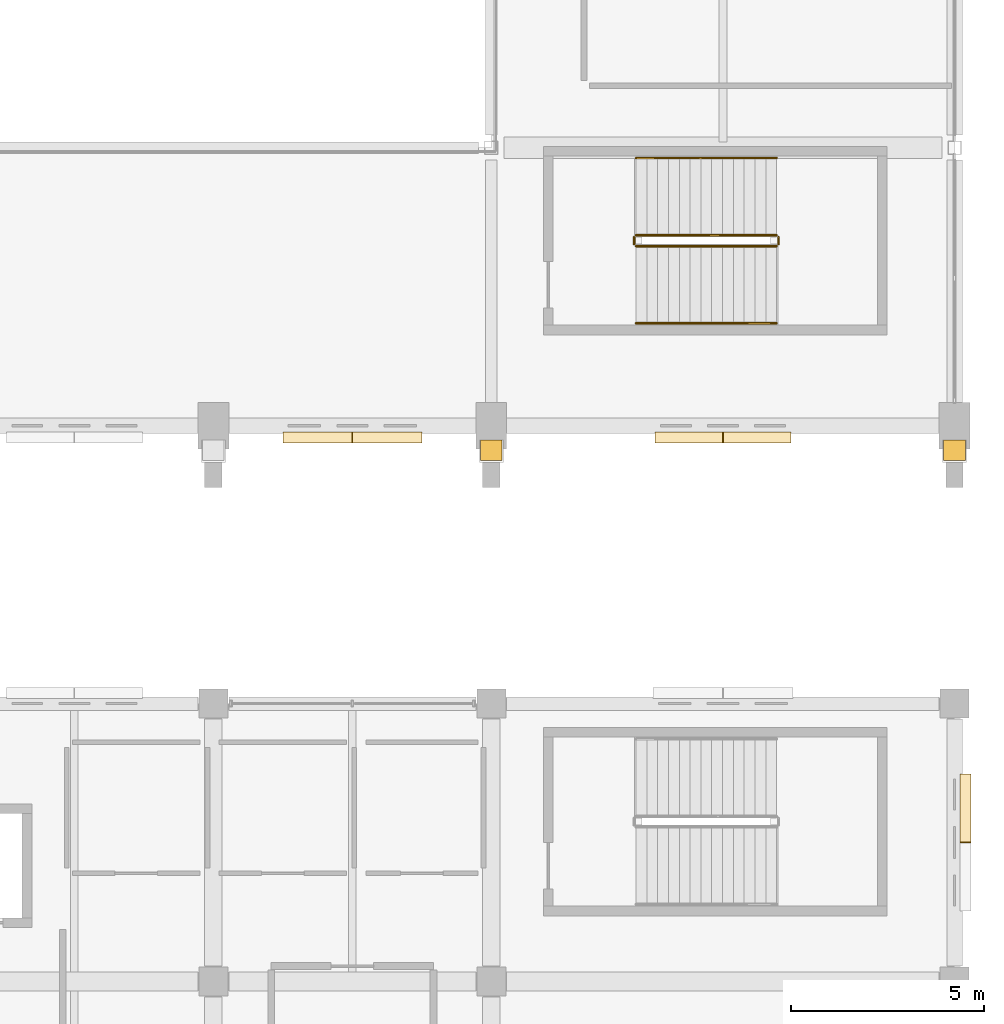
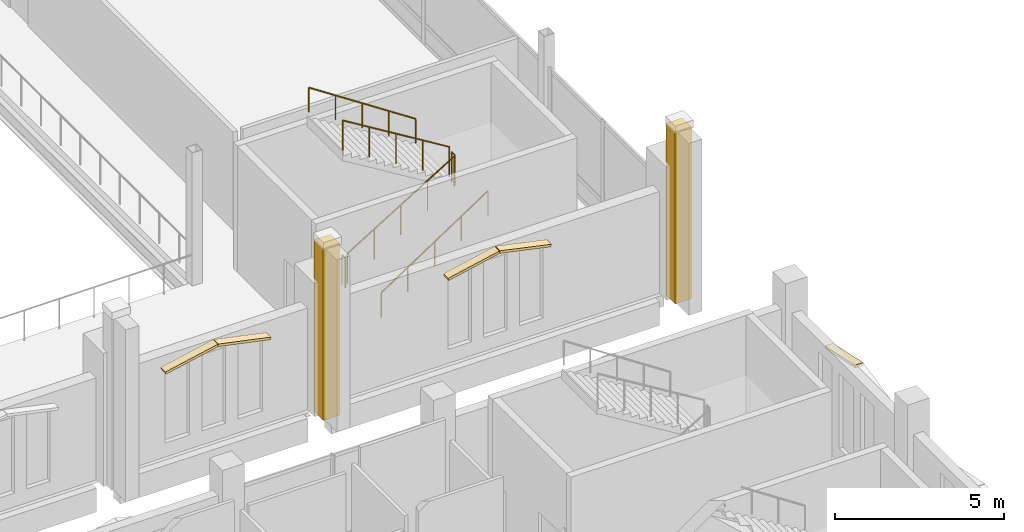
# One storey, part 186 of 193: 7 coverings, 6 railings.
"""IFC4 building model written with IfcOpenShell, lengths in metres."""

import ifcopenshell
import ifcopenshell.guid

model = None  # the IFC model being written
_history = None  # IfcOwnerHistory: only IFC2X3 demands one
_inside = {}  # id of a spatial element -> (the spatial element, [elements in it])
_under = {}  # id of a project, library or spatial element -> (it, [spatial elements below it])
_declared = {}  # id of a project -> (the project, [libraries it declares])
_typed = {}  # id of a type object -> (the type object, [elements of that type])
_made_of = {}  # id of a material, layer set ... -> (it, [elements and type objects made of it])


def new_model(schema):
    """Start an empty IFC model of exactly this schema.

    Asked for "IFC4X3", IfcOpenShell would pick the latest addendum, in which some entities
    have other attributes; the version numbers below select the first issue.
    IFC2X3 requires an IfcOwnerHistory on every rooted entity: one is made here for all.
    """
    global model, _history
    if schema == "IFC4X3":
        model = ifcopenshell.file(schema_version=(4, 3, 0, 0))
    else:
        model = ifcopenshell.file(schema=schema)
    _inside.clear()
    _under.clear()
    _declared.clear()
    _typed.clear()
    _made_of.clear()
    _history = None
    if model.schema == "IFC2X3":
        org = make("IfcOrganization", Name="unknown")
        user = make(
            "IfcPersonAndOrganization",
            ThePerson=make("IfcPerson", FamilyName="unknown"),
            TheOrganization=org,
        )
        app = make(
            "IfcApplication",
            ApplicationDeveloper=org,
            Version="unknown",
            ApplicationFullName="unknown",
            ApplicationIdentifier="unknown",
        )
        _history = make(
            "IfcOwnerHistory",
            OwningUser=user,
            OwningApplication=app,
            ChangeAction="ADDED",
            CreationDate=0,
        )
    return model


def make(cls, **values):
    """One entity of the class cls with the attributes given. An attribute that is None is left unset."""
    return model.create_entity(
        cls, **{name: value for name, value in values.items() if value is not None}
    )


def rooted(cls, **values):
    """An entity with a GlobalId (a new one), such as an element, a storey or a relation."""
    return make(cls, GlobalId=ifcopenshell.guid.new(), OwnerHistory=_history, **values)


def si_unit(unit_type, name, prefix=None):
    """IfcSIUnit, for example si_unit("LENGTHUNIT", "METRE", prefix="MILLI")."""
    return make("IfcSIUnit", UnitType=unit_type, Prefix=prefix, Name=name)


def assignment(units):
    """IfcUnitAssignment: the units of a project."""
    return None if units is None else make("IfcUnitAssignment", Units=units)


def point(xyz):
    """IfcCartesianPoint."""
    return None if xyz is None else make("IfcCartesianPoint", Coordinates=xyz)


def direction(xyz):
    """IfcDirection."""
    return None if xyz is None else make("IfcDirection", DirectionRatios=xyz)


def frame(location, z_axis=None, x_axis=None):
    """IfcAxis2Placement3D, a coordinate frame: its origin and axes. An axis left out is left unset."""
    return make(
        "IfcAxis2Placement3D",
        Location=point(location),
        Axis=direction(z_axis),
        RefDirection=direction(x_axis),
    )


def frame_2d(location, x_axis=None):
    """IfcAxis2Placement2D, a coordinate frame in the plane: its origin and x axis."""
    return make(
        "IfcAxis2Placement2D", Location=point(location), RefDirection=direction(x_axis)
    )


def origin():
    """The frame at (0, 0, 0) with its axes left unset."""
    return frame((0.0, 0.0, 0.0))


def origin_2d():
    """The frame at (0, 0) in the plane with its x axis left unset."""
    return frame_2d((0.0, 0.0))


def place(relative_to, where):
    """IfcLocalPlacement: puts the frame where relative to a parent placement (None: the world)."""
    return make(
        "IfcLocalPlacement", PlacementRelTo=relative_to, RelativePlacement=where
    )


def context(
    kind, dimensions, precision=None, world=None, true_north=None, identifier=None
):
    """IfcGeometricRepresentationContext, for example the 3D "Model" context."""
    return make(
        "IfcGeometricRepresentationContext",
        ContextIdentifier=identifier,
        ContextType=kind,
        CoordinateSpaceDimension=dimensions,
        Precision=precision,
        WorldCoordinateSystem=world,
        TrueNorth=true_north,
    )


def subcontext(parent, identifier, kind, view, scale=None):
    """IfcGeometricRepresentationSubContext, for example "Body" below "Model"."""
    return make(
        "IfcGeometricRepresentationSubContext",
        ContextIdentifier=identifier,
        ContextType=kind,
        ParentContext=parent,
        TargetScale=scale,
        TargetView=view,
    )


def project(units=None, contexts=None):
    """IfcProject with its units and contexts."""
    return rooted(
        "IfcProject",
        Name="project",
        RepresentationContexts=contexts,
        UnitsInContext=assignment(units),
    )


def spatial(cls, under=None, at=None, **own):
    """A site, building, storey or space (cls), placed at a placement, below another one or the project."""
    s = rooted(cls, ObjectPlacement=at, **own)
    if under is not None:
        _under.setdefault(under.id(), (under, []))[1].append(s)
    return s


def polyline(points):
    """IfcPolyline through the points."""
    return make("IfcPolyline", Points=[point(p) for p in points])


def profile(cls, at=None, kind="AREA", **sizes):
    """A parametric profile (cls). Its sizes go by their IFC names, for example OverallWidth=200.0."""
    return make(cls, ProfileType=kind, Position=at, **sizes)


def circle(**sizes):
    """IfcCircleProfileDef."""
    return profile("IfcCircleProfileDef", **sizes)


def outline(outer, holes=None, kind="AREA"):
    """IfcArbitraryClosedProfileDef: a profile drawn as a closed curve; with holes, ...WithVoids."""
    if holes is None:
        return make("IfcArbitraryClosedProfileDef", ProfileType=kind, OuterCurve=outer)
    return make(
        "IfcArbitraryProfileDefWithVoids",
        ProfileType=kind,
        OuterCurve=outer,
        InnerCurves=holes,
    )


def extrude(swept, where, along, depth):
    """IfcExtrudedAreaSolid: the profile swept, set in the frame where, extruded along a direction by depth."""
    return make(
        "IfcExtrudedAreaSolid",
        SweptArea=swept,
        Position=where,
        ExtrudedDirection=direction(along),
        Depth=depth,
    )


def shape(context_of_items, identifier, shape_type, items):
    """IfcShapeRepresentation: the items that make up one representation, for example the "Body"."""
    return make(
        "IfcShapeRepresentation",
        ContextOfItems=context_of_items,
        RepresentationIdentifier=identifier,
        RepresentationType=shape_type,
        Items=items,
    )


def material(Name=None, Category=None):
    """IfcMaterial."""
    return make("IfcMaterial", Name=Name, Category=Category)


def layer(
    of_material, thickness, ventilated=None, Name=None, Category=None, Priority=None
):
    """IfcMaterialLayer: one layer of a wall or slab, of a material (None: an air gap)."""
    return make(
        "IfcMaterialLayer",
        Material=of_material,
        LayerThickness=thickness,
        IsVentilated=ventilated,
        Name=Name,
        Category=Category,
        Priority=Priority,
    )


def layer_set(layers, Name=None):
    """IfcMaterialLayerSet."""
    return make("IfcMaterialLayerSet", MaterialLayers=layers, LayerSetName=Name)


def made_of(thing, what):
    """Note that an element or type object is made of a material, layer set ...; save() writes the relation."""
    if what is not None:
        _made_of.setdefault(what.id(), (what, []))[1].append(thing)
    return thing


def type_object(cls, material=None, **own):
    """A type object (cls), such as IfcWallType, which elements share."""
    return made_of(rooted(cls, **own), material)


def element(
    cls,
    number,
    at=None,
    inside=None,
    cuts=None,
    type_object=None,
    material=None,
    context=None,
    identifier="Body",
    shape_type=None,
    held_by="IfcProductDefinitionShape",
    body=None,
    shapes=None,
    **own,
):
    """One element of the class cls, such as IfcWall. Its Tag is "e" and its number.

    at: its placement. inside: the storey or other place that contains it. cuts: it is an
    opening in that element (IfcRelVoidsElement). A single representation is given by context,
    identifier, shape_type and body (its items); several are given by shapes. held_by: the class
    of the entity that holds the representations. save() writes the other relations.
    """
    e = rooted(cls, Tag="e%d" % number, ObjectPlacement=at, **own)
    if body is not None:
        shapes = [shape(context, identifier, shape_type, body)]
    if shapes is not None:
        e.Representation = make(held_by, Representations=shapes)
    if inside is not None:
        _inside.setdefault(inside.id(), (inside, []))[1].append(e)
    if cuts is not None:
        rooted(
            "IfcRelVoidsElement", RelatingBuildingElement=cuts, RelatedOpeningElement=e
        )
    if type_object is not None:
        _typed.setdefault(type_object.id(), (type_object, []))[1].append(e)
    return made_of(e, material)


def aggregate(whole, parts):
    """IfcRelAggregates: a whole, such as a stair, and the parts it consists of."""
    return rooted("IfcRelAggregates", RelatingObject=whole, RelatedObjects=parts)


def save(model, path):
    """Write the relations noted so far, then the file.

    IfcRelAggregates (storeys below a building ...), IfcRelContainedInSpatialStructure (elements
    in a storey), IfcRelDefinesByType, IfcRelAssociatesMaterial and IfcRelDeclares: one each for
    every whole, place, type object, material and project.
    """
    for whole, parts in _under.values():
        aggregate(whole, parts)
    for where, things in _inside.values():
        rooted(
            "IfcRelContainedInSpatialStructure",
            RelatedElements=things,
            RelatingStructure=where,
        )
    for kind, things in _typed.values():
        rooted("IfcRelDefinesByType", RelatedObjects=things, RelatingType=kind)
    for what, things in _made_of.values():
        rooted("IfcRelAssociatesMaterial", RelatedObjects=things, RelatingMaterial=what)
    for by, libraries in _declared.values():
        rooted("IfcRelDeclares", RelatingContext=by, RelatedDefinitions=libraries)
    model.write(path)


model = new_model("IFC4")

# Units and contexts
model_context = context("Model", 3, precision=1e-05, world=origin(), true_north=direction((0.0, 1.0)))
body_context = subcontext(model_context, "Body", "Model", "MODEL_VIEW")
ifc_project = project(units=[si_unit("LENGTHUNIT", "METRE"), si_unit("AREAUNIT", "SQUARE_METRE"), si_unit("VOLUMEUNIT", "CUBIC_METRE"), si_unit("PLANEANGLEUNIT", "RADIAN"), si_unit("MASSUNIT", "GRAM", prefix="KILO")], contexts=[model_context])

# Site, building, storey
site_placement = place(None, origin())
site = spatial("IfcSite", under=ifc_project, at=site_placement, CompositionType="ELEMENT")
building_placement = place(site_placement, origin())
building = spatial("IfcBuilding", under=site, at=building_placement, Name="Cendralis Lancet Convention Centre", CompositionType="ELEMENT")
storey_placement = place(building_placement, frame((0.0, 0.0, 10.199951171875)))
storey = spatial("IfcBuildingStorey", under=building, at=storey_placement, Name="L02", CompositionType="ELEMENT", Elevation=10.199951171875)

# Coverings
ifc_material_1 = material(Name="Warm buff sandstone chevron cassette", Category="masonry")
ifc_layer = layer(ifc_material_1, 0.06005859375, Name="Warm buff sandstone chevron cassette")
ifc_layer_set = layer_set([ifc_layer], Name="Warm buff sandstone chevron cassette")
covering_type = type_object("IfcCoveringType", Name="ARC-CV-CLAD1", PredefinedType="CLADDING", material=ifc_layer_set)
for number, where, z_axis, x_axis, name in (
    (1, (195.0, 42.75, 3.27001953125), (0.205041599325, 0.0, 0.978753259277), (0.0, 1.0, 0.0), "L02 Gothic Pointed Lancet Hood-Mould #0145L"),
    (2, (193.18994140625, 42.75, 3.64501953125), (-0.205041599325, 0.0, 0.978753259277), (0.0, 1.0, 0.0), "L02 Gothic Pointed Lancet Hood-Mould #0146R"),
):
    element("IfcCovering", number, at=place(storey_placement, frame(where, z_axis=z_axis, x_axis=x_axis)), inside=storey, type_object=covering_type, Name=name, PredefinedType="CLADDING", context=body_context, shape_type="SweptSolid", body=[
        extrude(outline(polyline([(0.0, 0.0), (0.284912109375, 0.0), (0.284912109375, 1.8288971664027145), (0.0, 1.8288971664027145), (0.0, 0.0)])), origin(), (0.0, 0.0, -1.0), 0.090087890625),
    ])
for number, where, z_axis, x_axis, name in (
    (3, (204.56005859375, 42.75, 3.27001953125), (0.209529088731, 0.0, 0.977802414077), (0.0, 1.0, 0.0), "L02 Gothic Pointed Lancet Hood-Mould #0147L"),
    (4, (202.7900390625, 42.75, 3.64501953125), (-0.209529088731, 0.0, 0.977802414077), (0.0, 1.0, 0.0), "L02 Gothic Pointed Lancet Hood-Mould #0148R"),
):
    element("IfcCovering", number, at=place(storey_placement, frame(where, z_axis=z_axis, x_axis=x_axis)), inside=storey, type_object=covering_type, Name=name, PredefinedType="CLADDING", context=body_context, shape_type="SweptSolid", body=[
        extrude(outline(polyline([(0.0, 0.0), (0.284912109375, 0.0), (0.284912109375, 1.789727632909544), (0.0, 1.789727632909544), (0.0, 0.0)])), origin(), (0.0, 0.0, -1.0), 0.090087890625),
    ])
covering_1_placement = place(storey_placement, origin())
element("IfcCovering", 5, at=covering_1_placement, inside=storey, type_object=covering_type, Name="Gothic Stepped Stone Buttress Shaft #0047", PredefinedType="CLADDING", context=body_context, shape_type="SweptSolid", body=[
    extrude(outline(polyline([(196.52001953125, 42.300048828125), (197.080078125, 42.300048828125), (197.080078125, 42.830078125), (196.52001953125, 42.830078125), (196.52001953125, 42.300048828125)])), origin(), (0.0, 0.0, 1.0), 6.199951171875),
])
covering_2_placement = place(storey_placement, origin())
element("IfcCovering", 6, at=covering_2_placement, inside=storey, type_object=covering_type, Name="Gothic Stepped Stone Buttress Shaft #0049", PredefinedType="CLADDING", context=body_context, shape_type="SweptSolid", body=[
    extrude(outline(polyline([(208.52001953125, 42.300048828125), (209.080078125, 42.300048828125), (209.080078125, 42.830078125), (208.52001953125, 42.830078125), (208.52001953125, 42.300048828125)])), origin(), (0.0, 0.0, 1.0), 6.199951171875),
])
covering_3_placement = place(storey_placement, frame((209.219970703125, 34.179931640625, 3.27001953125), z_axis=(0.0, 0.207261601859, 0.978285555651), x_axis=(-1.0, 0.0, 0.0)))
element("IfcCovering", 7, at=covering_3_placement, inside=storey, type_object=covering_type, Name="L02 Gothic Pointed Lancet Hood-Mould #0367L", PredefinedType="CLADDING", context=body_context, shape_type="SweptSolid", body=[
    extrude(outline(polyline([(0.0, 0.0), (0.284912109375, 0.0), (0.284912109375, 1.8093076413386615), (0.0, 1.8093076413386615), (0.0, 0.0)])), origin(), (0.0, 0.0, -1.0), 0.090087890625),
])

# Railings
ifc_material_2 = material(Name="Steel S355", Category="steel")
railing_type_1 = type_object("IfcRailingType", Name="ARC-RL-CGD", PredefinedType="GUARDRAIL", material=ifc_material_2)
railing_1_placement = place(storey_placement, frame((200.550048828125, 47.85009765625, 0.17138671875)))
element("IfcRailing", 8, at=railing_1_placement, inside=storey, type_object=railing_type_1, Name="L02 ST-09 stair guard 1", PredefinedType="GUARDRAIL", context=body_context, shape_type="SweptSolid", body=[
    extrude(circle(Radius=0.02392578125, at=origin_2d()), frame((0.0, 0.0, 1.076171875), z_axis=(0.852824790078, 0.0, 0.522197163366), x_axis=(0.0, 1.0, 0.0)), (0.0, 0.0, 1.0), 4.26806640625),
    extrude(circle(Radius=0.02099609375, at=origin_2d()), origin(), (0.0, 0.0, 1.0), 1.052001953125),
    extrude(circle(Radius=0.02099609375, at=origin_2d()), frame((0.909912109375, 0.0, 0.55712890625)), (0.0, 0.0, 1.0), 1.052001953125),
    extrude(circle(Radius=0.02099609375, at=origin_2d()), frame((1.81982421875, 0.0, 1.1142578125)), (0.0, 0.0, 1.0), 1.052001953125),
    extrude(circle(Radius=0.02099609375, at=origin_2d()), frame((2.72998046875, 0.0, 1.671630859375)), (0.0, 0.0, 1.0), 1.052001953125),
    extrude(circle(Radius=0.02099609375, at=origin_2d()), frame((3.639892578125, 0.0, 2.228759765625)), (0.0, 0.0, 1.0), 1.052001953125),
])
railing_2_placement = place(storey_placement, frame((204.239990234375, 47.89990234375, 2.400146484375)))
element("IfcRailing", 9, at=railing_2_placement, inside=storey, type_object=railing_type_1, Name="L02 ST-09 stair guard 2", PredefinedType="GUARDRAIL", context=body_context, shape_type="SweptSolid", body=[
    extrude(circle(Radius=0.02392578125, at=origin_2d()), frame((0.0, 0.0, 1.076171875), z_axis=(0.0, 1.0, 0.0), x_axis=(-1.0, 0.0, 0.0)), (0.0, 0.0, 1.0), 0.18017578125),
    extrude(circle(Radius=0.02099609375, at=origin_2d()), origin(), (0.0, 0.0, 1.0), 1.052001953125),
    extrude(circle(Radius=0.02099609375, at=origin_2d()), frame((0.0, 0.18017578125, 0.0)), (0.0, 0.0, 1.0), 1.052001953125),
])
railing_3_placement = place(storey_placement, frame((204.18994140625, 48.1298828125, 2.571533203125)))
element("IfcRailing", 10, at=railing_3_placement, inside=storey, type_object=railing_type_1, Name="L02 ST-09 stair guard 3", PredefinedType="GUARDRAIL", context=body_context, shape_type="SweptSolid", body=[
    extrude(circle(Radius=0.02392578125, at=origin_2d()), frame((0.0, 0.0, 1.076171875), z_axis=(-0.852850264322, 0.0, 0.5221555579), x_axis=(0.0, -1.0, 0.0)), (0.0, 0.0, 1.0), 4.267822265625),
    extrude(circle(Radius=0.02099609375, at=origin_2d()), origin(), (0.0, 0.0, 1.0), 1.052001953125),
    extrude(circle(Radius=0.02099609375, at=origin_2d()), frame((-0.909912109375, 0.0, 0.55712890625)), (0.0, 0.0, 1.0), 1.052001953125),
    extrude(circle(Radius=0.02099609375, at=origin_2d()), frame((-1.81982421875, 0.0, 1.1142578125)), (0.0, 0.0, 1.0), 1.052001953125),
    extrude(circle(Radius=0.02099609375, at=origin_2d()), frame((-2.72998046875, 0.0, 1.67138671875)), (0.0, 0.0, 1.0), 1.052001953125),
    extrude(circle(Radius=0.02099609375, at=origin_2d()), frame((-3.639892578125, 0.0, 2.228515625)), (0.0, 0.0, 1.0), 1.052001953125),
])
railing_4_placement = place(storey_placement, frame((200.5, 47.89990234375, 0.0)))
element("IfcRailing", 11, at=railing_4_placement, inside=storey, type_object=railing_type_1, Name="L02 ST-09 stair guard 4", PredefinedType="GUARDRAIL", context=body_context, shape_type="SweptSolid", body=[
    extrude(circle(Radius=0.02392578125, at=origin_2d()), frame((0.0, 0.0, 1.076171875), z_axis=(0.0, 1.0, 0.0), x_axis=(-1.0, 0.0, 0.0)), (0.0, 0.0, 1.0), 0.18017578125),
    extrude(circle(Radius=0.02099609375, at=origin_2d()), origin(), (0.0, 0.0, 1.0), 1.052001953125),
    extrude(circle(Radius=0.02099609375, at=origin_2d()), frame((0.0, 0.18017578125, 0.0)), (0.0, 0.0, 1.0), 1.052001953125),
])
railing_type_2 = type_object("IfcRailingType", Name="ARC-RL-CHR", PredefinedType="HANDRAIL", material=ifc_material_2)
railing_5_placement = place(storey_placement, frame((200.550048828125, 45.85009765625, 0.17138671875)))
element("IfcRailing", 12, at=railing_5_placement, inside=storey, type_object=railing_type_2, Name="L02 ST-09 stair handrail 1", PredefinedType="HANDRAIL", context=body_context, shape_type="SweptSolid", body=[
    extrude(circle(Radius=0.02392578125, at=origin_2d()), frame((0.0, 0.0, 0.8759765625), z_axis=(0.834839479206, 0.0, 0.550493454965), x_axis=(0.0, 1.0, 0.0)), (0.0, 0.0, 1.0), 4.360107421875),
    extrude(circle(Radius=0.02099609375, at=origin_2d()), origin(), (0.0, 0.0, 1.0), 0.851806640625),
    extrude(circle(Radius=0.02099609375, at=origin_2d()), frame((0.909912109375, 0.0, 0.60009765625)), (0.0, 0.0, 1.0), 0.851806640625),
    extrude(circle(Radius=0.02099609375, at=origin_2d()), frame((1.81982421875, 0.0, 1.2001953125)), (0.0, 0.0, 1.0), 0.851806640625),
    extrude(circle(Radius=0.02099609375, at=origin_2d()), frame((2.72998046875, 0.0, 1.800048828125)), (0.0, 0.0, 1.0), 0.851806640625),
    extrude(circle(Radius=0.02099609375, at=origin_2d()), frame((3.639892578125, 0.0, 2.400146484375)), (0.0, 0.0, 1.0), 0.851806640625),
])
railing_6_placement = place(storey_placement, frame((204.18994140625, 50.1298828125, 2.571533203125)))
element("IfcRailing", 13, at=railing_6_placement, inside=storey, type_object=railing_type_2, Name="L02 ST-09 stair handrail 2", PredefinedType="HANDRAIL", context=body_context, shape_type="SweptSolid", body=[
    extrude(circle(Radius=0.02392578125, at=origin_2d()), frame((0.0, 0.0, 0.8759765625), z_axis=(-0.834865213223, 0.0, 0.550454426587), x_axis=(0.0, -1.0, 0.0)), (0.0, 0.0, 1.0), 4.35986328125),
    extrude(circle(Radius=0.02099609375, at=origin_2d()), origin(), (0.0, 0.0, 1.0), 0.851806640625),
    extrude(circle(Radius=0.02099609375, at=origin_2d()), frame((-0.909912109375, 0.0, 0.60009765625)), (0.0, 0.0, 1.0), 0.851806640625),
    extrude(circle(Radius=0.02099609375, at=origin_2d()), frame((-1.81982421875, 0.0, 1.199951171875)), (0.0, 0.0, 1.0), 0.851806640625),
    extrude(circle(Radius=0.02099609375, at=origin_2d()), frame((-2.72998046875, 0.0, 1.7998046875)), (0.0, 0.0, 1.0), 0.851806640625),
    extrude(circle(Radius=0.02099609375, at=origin_2d()), frame((-3.639892578125, 0.0, 2.39990234375)), (0.0, 0.0, 1.0), 0.851806640625),
])

save(model, "model.ifc")
